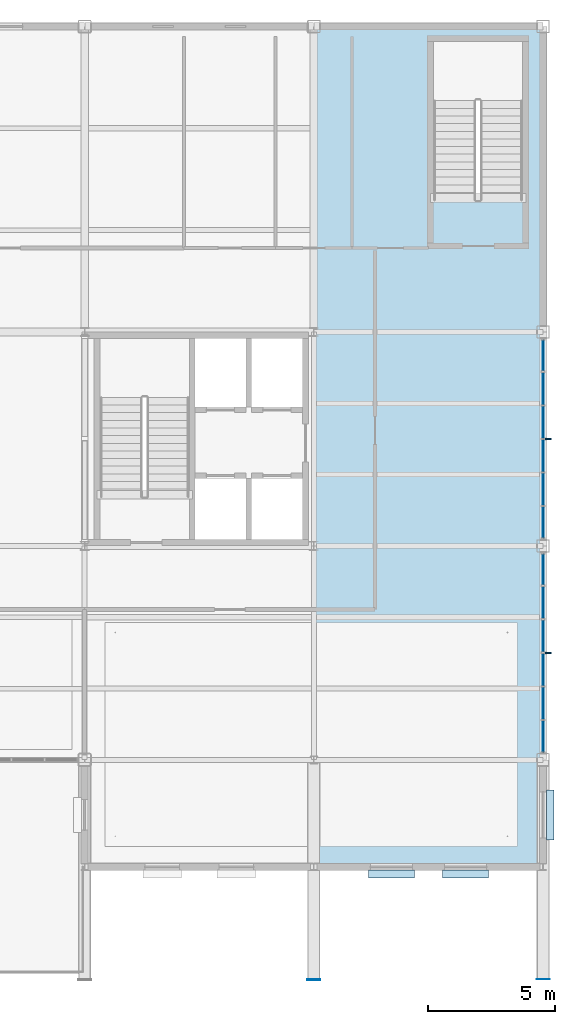
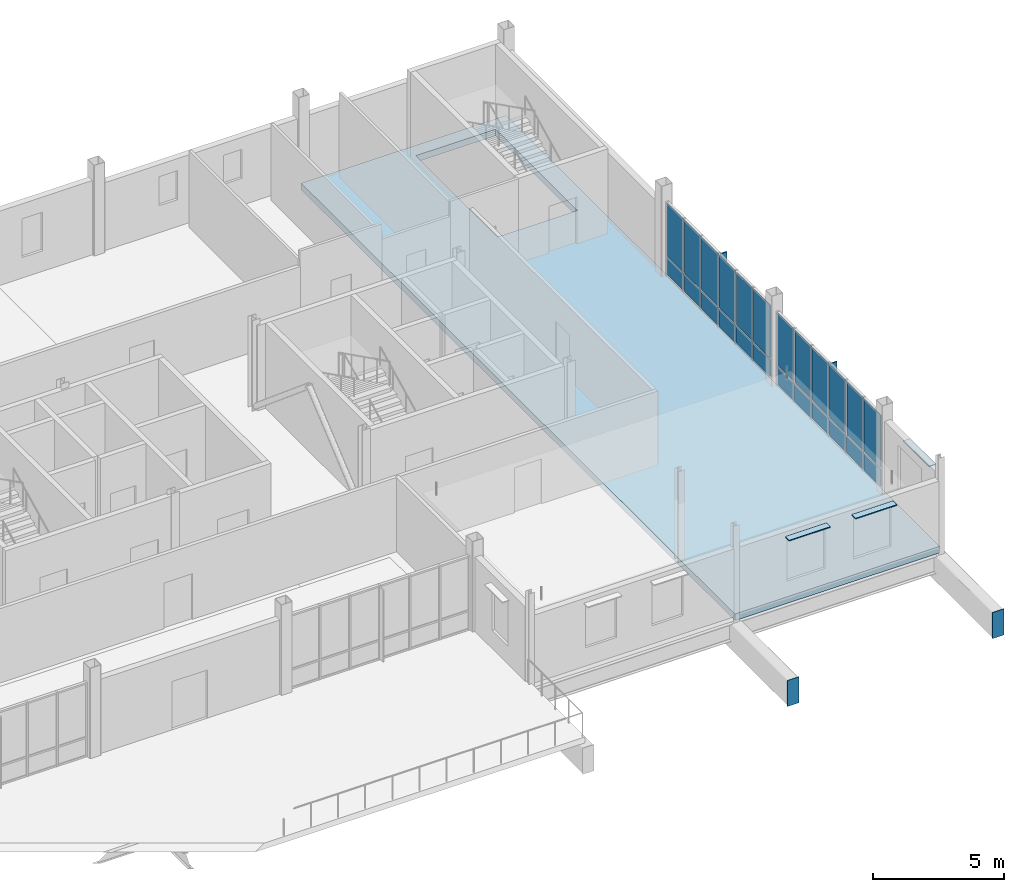
# One storey, part 12 of 22: 31 plates, 1 slab, 2 elements without a shape of their own.
"""IFC4 building model written with IfcOpenShell, lengths in metres."""

from ifc_helpers import new_model, si_unit, direction, frame, origin, origin_2d, place, context, subcontext, project, spatial, polyline, rectangle, outline, extrude, material, layer, layer_set, type_object, element, aggregate, save


model = new_model("IFC4")

# Units and contexts
model_context = context("Model", 3, precision=1e-05, world=origin(), true_north=direction((0.0, 1.0)))
body_context = subcontext(model_context, "Body", "Model", "MODEL_VIEW")
ifc_project = project(units=[si_unit("LENGTHUNIT", "METRE"), si_unit("AREAUNIT", "SQUARE_METRE"), si_unit("VOLUMEUNIT", "CUBIC_METRE"), si_unit("PLANEANGLEUNIT", "RADIAN"), si_unit("MASSUNIT", "GRAM", prefix="KILO")], contexts=[model_context])

# Site, building, storey
site_placement = place(None, origin())
site = spatial("IfcSite", under=ifc_project, at=site_placement, CompositionType="ELEMENT")
building_placement = place(site_placement, origin())
building = spatial("IfcBuilding", under=site, at=building_placement, Name="Yukiwa Park Conservatory and Herbarium", CompositionType="ELEMENT")
storey_placement = place(building_placement, frame((0.0, 0.0, 35.39990234375)))
storey = spatial("IfcBuildingStorey", under=building, at=storey_placement, Name="L09", CompositionType="ELEMENT", Elevation=35.39990234375)

# Plates
ifc_material_1 = material(Name="Steel Q355D", Category="steel")
ifc_layer_1 = layer(ifc_material_1, 0.02392578125)
ifc_layer_set_1 = layer_set([ifc_layer_1], Name="Steel Q355D")
plate_type_1 = type_object("IfcPlateType", Name="PL-CAP-24", PredefinedType="USERDEFINED", material=ifc_layer_set_1)
for number, where, z_axis, x_axis, name in (
    (1, (159.0, 77.780029296875, -0.90478515625), (0.0, -1.0, 0.0), (1.0, 0.0, 0.0), "Hollow section end cap plate CAP-TG2-2-S"),
    (2, (168.0, 77.780029296875, -0.90478515625), (0.0, -1.0, 0.0), (1.0, 0.0, 0.0), "Hollow section end cap plate CAP-TG2-3-S"),
):
    element("IfcPlate", number, at=place(storey_placement, frame(where, z_axis=z_axis, x_axis=x_axis)), inside=storey, type_object=plate_type_1, Name=name, ObjectType="END CAP PLATE", PredefinedType="USERDEFINED", context=body_context, shape_type="SweptSolid", body=[
        extrude(rectangle(XDim=0.508056640625, YDim=1.2080078125, at=origin_2d()), origin(), (0.0, 0.0, 1.0), 0.02392578125),
    ])

# Curtain wall, plates
ifc_material_2 = material(Name="Triple Low-E Insulated Glass", Category="glass")
ifc_layer_2 = layer(ifc_material_2, 0.22412109375)
ifc_layer_set_2 = layer_set([ifc_layer_2], Name="Triple Low-E Insulated Glass")
curtain_wall_type = type_object("IfcCurtainWallType", Name="CW-TOWER-CORNER-1400", PredefinedType="NOTDEFINED", material=ifc_layer_set_2)
curtain_wall_1_placement = place(storey_placement, origin())
curtain_wall_1 = element("IfcCurtainWall", 3, at=curtain_wall_1_placement, inside=storey, type_object=curtain_wall_type, Name="L09 unitised curtain wall CW-L09-099", PredefinedType="NOTDEFINED")
ifc_material_3 = material(Name="Triple Low-E Insulated Glass", Category="glass")
ifc_layer_3 = layer(ifc_material_3, 0.035888671875)
ifc_layer_set_3 = layer_set([ifc_layer_3], Name="Triple Low-E Insulated Glass")
plate_type_2 = type_object("IfcPlateType", Name="PL-CW-GLZ-36", PredefinedType="CURTAIN_PANEL", material=ifc_layer_set_3)
plate_1_placement = place(storey_placement, frame((168.0, 87.308349609375, 0.93505859375), z_axis=(0.0, 0.0, 1.0), x_axis=(0.0, 1.0, 0.0)))
plate_1 = element("IfcPlate", 4, at=plate_1_placement, type_object=plate_type_2, Name="CW-L09-099 vision panel 1.2", PredefinedType="CURTAIN_PANEL", context=body_context, shape_type="SweptSolid", body=[
    extrude(rectangle(XDim=1.24658203125, YDim=0.035888671875, at=origin_2d()), origin(), (0.0, 0.0, 1.0), 2.443115234375),
])
plate_2_placement = place(storey_placement, frame((168.0, 88.625, 0.93505859375), z_axis=(0.0, 0.0, 1.0), x_axis=(0.0, 1.0, 0.0)))
plate_2 = element("IfcPlate", 5, at=plate_2_placement, type_object=plate_type_2, Name="CW-L09-099 vision panel 2.2", PredefinedType="CURTAIN_PANEL", context=body_context, shape_type="SweptSolid", body=[
    extrude(rectangle(XDim=1.24658203125, YDim=0.035888671875, at=origin_2d()), origin(), (0.0, 0.0, 1.0), 2.443115234375),
])
plate_3_placement = place(storey_placement, frame((168.0, 89.941650390625, 0.93505859375), z_axis=(0.0, 0.0, 1.0), x_axis=(0.0, 1.0, 0.0)))
plate_3 = element("IfcPlate", 6, at=plate_3_placement, type_object=plate_type_2, Name="CW-L09-099 vision panel 3.2", PredefinedType="CURTAIN_PANEL", context=body_context, shape_type="SweptSolid", body=[
    extrude(rectangle(XDim=1.24658203125, YDim=0.035888671875, at=origin_2d()), origin(), (0.0, 0.0, 1.0), 2.443115234375),
])
plate_4_placement = place(storey_placement, frame((168.0, 91.25830078125, 0.93505859375), z_axis=(0.0, 0.0, 1.0), x_axis=(0.0, 1.0, 0.0)))
plate_4 = element("IfcPlate", 7, at=plate_4_placement, type_object=plate_type_2, Name="CW-L09-099 vision panel 4.2", PredefinedType="CURTAIN_PANEL", context=body_context, shape_type="SweptSolid", body=[
    extrude(rectangle(XDim=1.24658203125, YDim=0.035888671875, at=origin_2d()), origin(), (0.0, 0.0, 1.0), 2.443115234375),
])
plate_5_placement = place(storey_placement, frame((168.0, 92.574951171875, 0.93505859375), z_axis=(0.0, 0.0, 1.0), x_axis=(0.0, 1.0, 0.0)))
plate_5 = element("IfcPlate", 8, at=plate_5_placement, type_object=plate_type_2, Name="CW-L09-099 vision panel 5.2", PredefinedType="CURTAIN_PANEL", context=body_context, shape_type="SweptSolid", body=[
    extrude(rectangle(XDim=1.24658203125, YDim=0.035888671875, at=origin_2d()), origin(), (0.0, 0.0, 1.0), 2.443115234375),
])
plate_6_placement = place(storey_placement, frame((168.0, 93.8916015625, 0.93505859375), z_axis=(0.0, 0.0, 1.0), x_axis=(0.0, 1.0, 0.0)))
plate_6 = element("IfcPlate", 9, at=plate_6_placement, type_object=plate_type_2, Name="CW-L09-099 vision panel 6.2", PredefinedType="CURTAIN_PANEL", context=body_context, shape_type="SweptSolid", body=[
    extrude(rectangle(XDim=1.24658203125, YDim=0.035888671875, at=origin_2d()), origin(), (0.0, 0.0, 1.0), 2.443115234375),
])

curtain_wall_2_placement = place(storey_placement, origin())
curtain_wall_2 = element("IfcCurtainWall", 10, at=curtain_wall_2_placement, inside=storey, type_object=curtain_wall_type, Name="L09 unitised curtain wall CW-L09-100", PredefinedType="NOTDEFINED")
plate_7_placement = place(storey_placement, frame((168.0, 95.708251953125, 0.93505859375), z_axis=(0.0, 0.0, 1.0), x_axis=(0.0, 1.0, 0.0)))
plate_7 = element("IfcPlate", 11, at=plate_7_placement, type_object=plate_type_2, Name="CW-L09-100 vision panel 1.2", PredefinedType="CURTAIN_PANEL", context=body_context, shape_type="SweptSolid", body=[
    extrude(rectangle(XDim=1.24658203125, YDim=0.035888671875, at=origin_2d()), origin(), (0.0, 0.0, 1.0), 2.443115234375),
])
plate_8_placement = place(storey_placement, frame((168.0, 97.02490234375, 0.93505859375), z_axis=(0.0, 0.0, 1.0), x_axis=(0.0, 1.0, 0.0)))
plate_8 = element("IfcPlate", 12, at=plate_8_placement, type_object=plate_type_2, Name="CW-L09-100 vision panel 2.2", PredefinedType="CURTAIN_PANEL", context=body_context, shape_type="SweptSolid", body=[
    extrude(rectangle(XDim=1.24658203125, YDim=0.035888671875, at=origin_2d()), origin(), (0.0, 0.0, 1.0), 2.443115234375),
])
plate_9_placement = place(storey_placement, frame((168.0, 98.341796875, 0.93505859375), z_axis=(0.0, 0.0, 1.0), x_axis=(0.0, 1.0, 0.0)))
plate_9 = element("IfcPlate", 13, at=plate_9_placement, type_object=plate_type_2, Name="CW-L09-100 vision panel 3.2", PredefinedType="CURTAIN_PANEL", context=body_context, shape_type="SweptSolid", body=[
    extrude(rectangle(XDim=1.24658203125, YDim=0.035888671875, at=origin_2d()), origin(), (0.0, 0.0, 1.0), 2.443115234375),
])
plate_10_placement = place(storey_placement, frame((168.0, 99.658203125, 0.93505859375), z_axis=(0.0, 0.0, 1.0), x_axis=(0.0, 1.0, 0.0)))
plate_10 = element("IfcPlate", 14, at=plate_10_placement, type_object=plate_type_2, Name="CW-L09-100 vision panel 4.2", PredefinedType="CURTAIN_PANEL", context=body_context, shape_type="SweptSolid", body=[
    extrude(rectangle(XDim=1.24658203125, YDim=0.035888671875, at=origin_2d()), origin(), (0.0, 0.0, 1.0), 2.443115234375),
])
plate_11_placement = place(storey_placement, frame((168.0, 100.97509765625, 0.93505859375), z_axis=(0.0, 0.0, 1.0), x_axis=(0.0, 1.0, 0.0)))
plate_11 = element("IfcPlate", 15, at=plate_11_placement, type_object=plate_type_2, Name="CW-L09-100 vision panel 5.2", PredefinedType="CURTAIN_PANEL", context=body_context, shape_type="SweptSolid", body=[
    extrude(rectangle(XDim=1.24658203125, YDim=0.035888671875, at=origin_2d()), origin(), (0.0, 0.0, 1.0), 2.443115234375),
])
plate_12_placement = place(storey_placement, frame((168.0, 102.291748046875, 0.93505859375), z_axis=(0.0, 0.0, 1.0), x_axis=(0.0, 1.0, 0.0)))
plate_12 = element("IfcPlate", 16, at=plate_12_placement, type_object=plate_type_2, Name="CW-L09-100 vision panel 6.2", PredefinedType="CURTAIN_PANEL", context=body_context, shape_type="SweptSolid", body=[
    extrude(rectangle(XDim=1.24658203125, YDim=0.035888671875, at=origin_2d()), origin(), (0.0, 0.0, 1.0), 2.443115234375),
])

# Plate
ifc_material_4 = material(Name="Anodised Aluminium", Category="aluminium")
ifc_layer_4 = layer(ifc_material_4, 0.044921875)
ifc_layer_set_4 = layer_set([ifc_layer_4], Name="Anodised Aluminium")
plate_type_3 = type_object("IfcPlateType", Name="PL-CW-SPN-45", PredefinedType="CURTAIN_PANEL", material=ifc_layer_set_4)
plate_13_placement = place(storey_placement, frame((168.0, 87.308349609375, 0.070068359375), z_axis=(0.0, 0.0, 1.0), x_axis=(0.0, 1.0, 0.0)))
plate_13 = element("IfcPlate", 17, at=plate_13_placement, type_object=plate_type_3, Name="CW-L09-099 spandrel panel 1.1", PredefinedType="CURTAIN_PANEL", context=body_context, shape_type="SweptSolid", body=[
    extrude(rectangle(XDim=1.24658203125, YDim=0.044921875, at=origin_2d()), origin(), (0.0, 0.0, 1.0), 0.794921875),
])

plate_14_placement = place(storey_placement, frame((168.0, 88.625, 0.070068359375), z_axis=(0.0, 0.0, 1.0), x_axis=(0.0, 1.0, 0.0)))
plate_14 = element("IfcPlate", 18, at=plate_14_placement, type_object=plate_type_3, Name="CW-L09-099 spandrel panel 2.1", PredefinedType="CURTAIN_PANEL", context=body_context, shape_type="SweptSolid", body=[
    extrude(rectangle(XDim=1.24658203125, YDim=0.044921875, at=origin_2d()), origin(), (0.0, 0.0, 1.0), 0.794921875),
])

plate_15_placement = place(storey_placement, frame((168.0, 89.941650390625, 0.070068359375), z_axis=(0.0, 0.0, 1.0), x_axis=(0.0, 1.0, 0.0)))
plate_15 = element("IfcPlate", 19, at=plate_15_placement, type_object=plate_type_3, Name="CW-L09-099 spandrel panel 3.1", PredefinedType="CURTAIN_PANEL", context=body_context, shape_type="SweptSolid", body=[
    extrude(rectangle(XDim=1.24658203125, YDim=0.044921875, at=origin_2d()), origin(), (0.0, 0.0, 1.0), 0.794921875),
])

plate_16_placement = place(storey_placement, frame((168.0, 91.25830078125, 0.070068359375), z_axis=(0.0, 0.0, 1.0), x_axis=(0.0, 1.0, 0.0)))
plate_16 = element("IfcPlate", 20, at=plate_16_placement, type_object=plate_type_3, Name="CW-L09-099 spandrel panel 4.1", PredefinedType="CURTAIN_PANEL", context=body_context, shape_type="SweptSolid", body=[
    extrude(rectangle(XDim=1.24658203125, YDim=0.044921875, at=origin_2d()), origin(), (0.0, 0.0, 1.0), 0.794921875),
])

plate_17_placement = place(storey_placement, frame((168.0, 92.574951171875, 0.070068359375), z_axis=(0.0, 0.0, 1.0), x_axis=(0.0, 1.0, 0.0)))
plate_17 = element("IfcPlate", 21, at=plate_17_placement, type_object=plate_type_3, Name="CW-L09-099 spandrel panel 5.1", PredefinedType="CURTAIN_PANEL", context=body_context, shape_type="SweptSolid", body=[
    extrude(rectangle(XDim=1.24658203125, YDim=0.044921875, at=origin_2d()), origin(), (0.0, 0.0, 1.0), 0.794921875),
])

plate_18_placement = place(storey_placement, frame((168.0, 93.8916015625, 0.070068359375), z_axis=(0.0, 0.0, 1.0), x_axis=(0.0, 1.0, 0.0)))
plate_18 = element("IfcPlate", 22, at=plate_18_placement, type_object=plate_type_3, Name="CW-L09-099 spandrel panel 6.1", PredefinedType="CURTAIN_PANEL", context=body_context, shape_type="SweptSolid", body=[
    extrude(rectangle(XDim=1.24658203125, YDim=0.044921875, at=origin_2d()), origin(), (0.0, 0.0, 1.0), 0.794921875),
])

aggregate(curtain_wall_1, [plate_13, plate_1, plate_14, plate_2, plate_15, plate_3, plate_16, plate_4, plate_17, plate_5, plate_18, plate_6])

plate_19_placement = place(storey_placement, frame((168.0, 95.708251953125, 0.070068359375), z_axis=(0.0, 0.0, 1.0), x_axis=(0.0, 1.0, 0.0)))
plate_19 = element("IfcPlate", 23, at=plate_19_placement, type_object=plate_type_3, Name="CW-L09-100 spandrel panel 1.1", PredefinedType="CURTAIN_PANEL", context=body_context, shape_type="SweptSolid", body=[
    extrude(rectangle(XDim=1.24658203125, YDim=0.044921875, at=origin_2d()), origin(), (0.0, 0.0, 1.0), 0.794921875),
])

plate_20_placement = place(storey_placement, frame((168.0, 97.02490234375, 0.070068359375), z_axis=(0.0, 0.0, 1.0), x_axis=(0.0, 1.0, 0.0)))
plate_20 = element("IfcPlate", 24, at=plate_20_placement, type_object=plate_type_3, Name="CW-L09-100 spandrel panel 2.1", PredefinedType="CURTAIN_PANEL", context=body_context, shape_type="SweptSolid", body=[
    extrude(rectangle(XDim=1.24658203125, YDim=0.044921875, at=origin_2d()), origin(), (0.0, 0.0, 1.0), 0.794921875),
])

plate_21_placement = place(storey_placement, frame((168.0, 98.341796875, 0.070068359375), z_axis=(0.0, 0.0, 1.0), x_axis=(0.0, 1.0, 0.0)))
plate_21 = element("IfcPlate", 25, at=plate_21_placement, type_object=plate_type_3, Name="CW-L09-100 spandrel panel 3.1", PredefinedType="CURTAIN_PANEL", context=body_context, shape_type="SweptSolid", body=[
    extrude(rectangle(XDim=1.24658203125, YDim=0.044921875, at=origin_2d()), origin(), (0.0, 0.0, 1.0), 0.794921875),
])

plate_22_placement = place(storey_placement, frame((168.0, 99.658203125, 0.070068359375), z_axis=(0.0, 0.0, 1.0), x_axis=(0.0, 1.0, 0.0)))
plate_22 = element("IfcPlate", 26, at=plate_22_placement, type_object=plate_type_3, Name="CW-L09-100 spandrel panel 4.1", PredefinedType="CURTAIN_PANEL", context=body_context, shape_type="SweptSolid", body=[
    extrude(rectangle(XDim=1.24658203125, YDim=0.044921875, at=origin_2d()), origin(), (0.0, 0.0, 1.0), 0.794921875),
])

plate_23_placement = place(storey_placement, frame((168.0, 100.97509765625, 0.070068359375), z_axis=(0.0, 0.0, 1.0), x_axis=(0.0, 1.0, 0.0)))
plate_23 = element("IfcPlate", 27, at=plate_23_placement, type_object=plate_type_3, Name="CW-L09-100 spandrel panel 5.1", PredefinedType="CURTAIN_PANEL", context=body_context, shape_type="SweptSolid", body=[
    extrude(rectangle(XDim=1.24658203125, YDim=0.044921875, at=origin_2d()), origin(), (0.0, 0.0, 1.0), 0.794921875),
])

plate_24_placement = place(storey_placement, frame((168.0, 102.291748046875, 0.070068359375), z_axis=(0.0, 0.0, 1.0), x_axis=(0.0, 1.0, 0.0)))
plate_24 = element("IfcPlate", 28, at=plate_24_placement, type_object=plate_type_3, Name="CW-L09-100 spandrel panel 6.1", PredefinedType="CURTAIN_PANEL", context=body_context, shape_type="SweptSolid", body=[
    extrude(rectangle(XDim=1.24658203125, YDim=0.044921875, at=origin_2d()), origin(), (0.0, 0.0, 1.0), 0.794921875),
])

aggregate(curtain_wall_2, [plate_19, plate_7, plate_20, plate_8, plate_21, plate_9, plate_22, plate_10, plate_23, plate_11, plate_24, plate_12])

# Plates
ifc_material_5 = material(Name="Anodised Aluminium", Category="aluminium")
ifc_layer_5 = layer(ifc_material_5, 0.050048828125)
ifc_layer_set_5 = layer_set([ifc_layer_5], Name="Anodised Aluminium")
plate_type_4 = type_object("IfcPlateType", Name="PL-FIN-ALU-50", PredefinedType="USERDEFINED", material=ifc_layer_set_5)
for number, where, z_axis, x_axis, name in (
    (29, (168.18994140625, 90.60009765625, 0.06005859375), (0.0, 0.0, 1.0), (0.0, 1.0, 0.0), "CW-L09-099 exterior vertical shading fin"),
    (30, (168.18994140625, 99.0, 0.06005859375), (0.0, 0.0, 1.0), (0.0, 1.0, 0.0), "CW-L09-100 exterior vertical shading fin"),
):
    element("IfcPlate", number, at=place(storey_placement, frame(where, z_axis=z_axis, x_axis=x_axis)), inside=storey, type_object=plate_type_4, Name=name, ObjectType="SHADING FIN", PredefinedType="USERDEFINED", context=body_context, shape_type="SweptSolid", body=[
        extrude(rectangle(XDim=0.050048828125, YDim=0.280029296875, at=origin_2d()), origin(), (0.0, 0.0, 1.0), 3.327880859375),
    ])
ifc_material_6 = material(Name="Anodised Aluminium", Category="aluminium")
ifc_layer_6 = layer(ifc_material_6, 0.0400390625)
ifc_layer_set_6 = layer_set([ifc_layer_6], Name="Anodised Aluminium")
plate_type_5 = type_object("IfcPlateType", Name="PL-SHADE-ALU-40", PredefinedType="SHEET", material=ifc_layer_set_6)
plate_25_placement = place(storey_placement, frame((168.280029296875, 84.238037109375, 2.989990234375), z_axis=(0.0, 0.0, 1.0), x_axis=(0.0, 1.0, 0.0)))
element("IfcPlate", 31, at=plate_25_placement, inside=storey, type_object=plate_type_5, Name="L09 snow-shedding window hood 171", PredefinedType="SHEET", context=body_context, shape_type="SweptSolid", body=[
    extrude(rectangle(XDim=1.9599609375, YDim=0.300048828125, at=origin_2d()), origin(), (0.0, 0.0, 1.0), 0.0400390625),
])
for number, where, z_axis, x_axis, name in (
    (32, (162.0419921875, 81.919921875, 2.900146484375), (0.0, 0.0, 1.0), (1.0, 0.0, 0.0), "L09 snow-shedding window hood 176"),
    (33, (164.9580078125, 81.919921875, 2.900146484375), (0.0, 0.0, 1.0), (1.0, 0.0, 0.0), "L09 snow-shedding window hood 177"),
):
    element("IfcPlate", number, at=place(storey_placement, frame(where, z_axis=z_axis, x_axis=x_axis)), inside=storey, type_object=plate_type_5, Name=name, PredefinedType="SHEET", context=body_context, shape_type="SweptSolid", body=[
        extrude(rectangle(XDim=1.81005859375, YDim=0.300048828125, at=origin_2d()), origin(), (0.0, 0.0, 1.0), 0.0400390625),
    ])

# Slab
ifc_material_7 = material(Name="Concrete C40", Category="concrete")
ifc_layer_7 = layer(ifc_material_7, 0.304931640625)
ifc_layer_set_7 = layer_set([ifc_layer_7], Name="Concrete C40")
slab_type = type_object("IfcSlabType", Name="SL-FLR-305", PredefinedType="FLOOR", material=ifc_layer_set_7)
slab_placement = place(storey_placement, frame((0.0, 0.0, -0.304931640625)))
element("IfcSlab", 34, at=slab_placement, inside=storey, type_object=slab_type, Name="L09 composite structural floor slab V5E", PredefinedType="FLOOR", context=body_context, shape_type="SweptSolid", body=[
    extrude(outline(polyline([(168.0, 82.199951171875), (159.0, 82.199951171875), (159.0, 115.199951171875), (168.0, 115.199951171875), (168.0, 82.199951171875)]), holes=[polyline([(167.199951171875, 114.60009765625), (163.68994140625, 114.60009765625), (163.68994140625, 108.3798828125), (167.199951171875, 108.3798828125), (167.199951171875, 114.60009765625)])]), origin(), (0.0, 0.0, 1.0), 0.304931640625),
])

save(model, "model.ifc")
